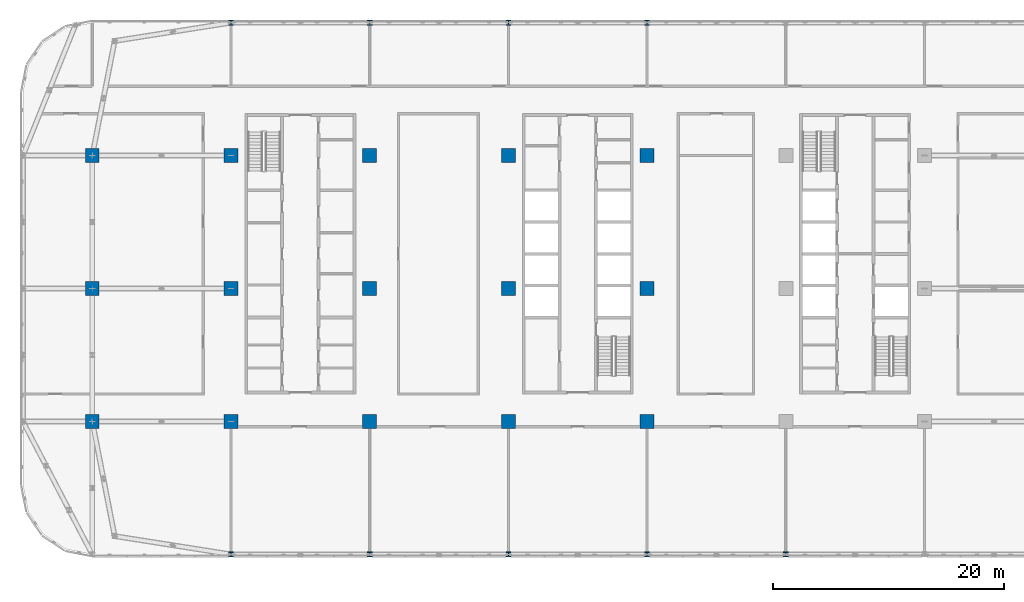
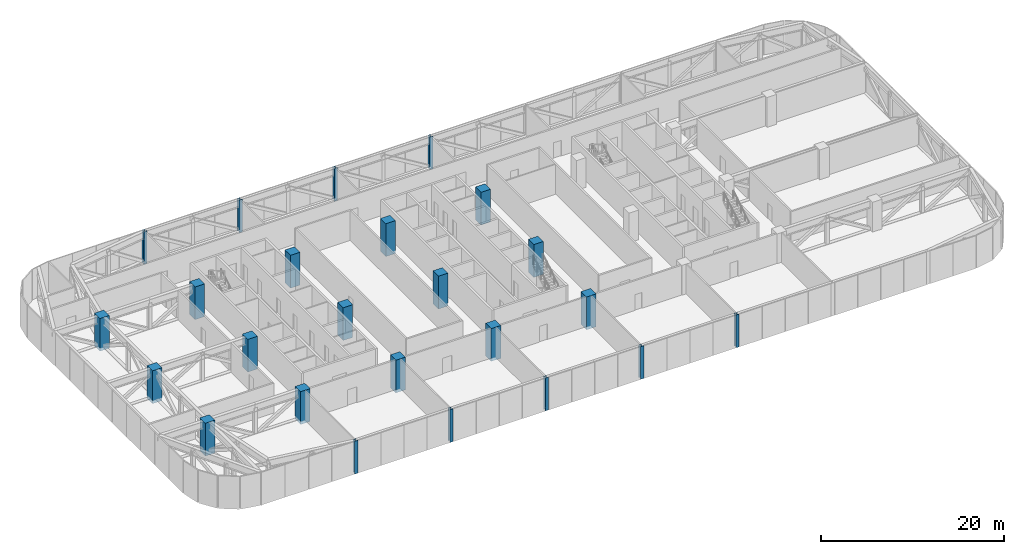
# One storey, part 1 of 26: 24 columns.
"""IFC4 building model written with IfcOpenShell, lengths in metres."""

from ifc_helpers import new_model, si_unit, direction, frame, origin, origin_2d, place, context, subcontext, project, spatial, rectangle, i_section, extrude, material, material_profile, profile_set, type_object, element, save


model = new_model("IFC4")

# Units and contexts
model_context = context("Model", 3, precision=1e-05, world=origin(), true_north=direction((0.0, 1.0)))
body_context = subcontext(model_context, "Body", "Model", "MODEL_VIEW")
ifc_project = project(units=[si_unit("LENGTHUNIT", "METRE"), si_unit("AREAUNIT", "SQUARE_METRE"), si_unit("VOLUMEUNIT", "CUBIC_METRE"), si_unit("PLANEANGLEUNIT", "RADIAN"), si_unit("MASSUNIT", "GRAM", prefix="KILO")], contexts=[model_context])

# Site, building, storey
site_placement = place(None, origin())
site = spatial("IfcSite", under=ifc_project, at=site_placement, CompositionType="ELEMENT")
building_placement = place(site_placement, origin())
building = spatial("IfcBuilding", under=site, at=building_placement, Name="Mahtab Terrace Research Tower", CompositionType="ELEMENT")
storey_placement = place(building_placement, frame((0.0, 0.0, 189.60009765625)))
storey = spatial("IfcBuildingStorey", under=building, at=storey_placement, Name="L45", CompositionType="ELEMENT", Elevation=189.60009765625)

# Columns
ifc_material_1 = material(Name="Concrete C70/85", Category="concrete")
ifc_material_profile_1 = material_profile(ifc_material_1, rectangle(XDim=1.199951171875, YDim=1.199951171875, at=origin_2d()), Name="RC column 1200x1200")
ifc_profile_set_1 = profile_set([ifc_material_profile_1], Name="Concrete C70/85")
column_type_1 = type_object("IfcColumnType", Name="RC column 1200x1200", PredefinedType="COLUMN", material=ifc_profile_set_1)
for number, where, z_axis, x_axis, name in (
    (1, (-42.0, -11.5, -0.400146484375), (0.0, 0.0, 1.0), (1.0, 0.0, 0.0), "Column RC-1A L45"),
    (2, (-42.0, 0.0, -0.400146484375), (0.0, 0.0, 1.0), (1.0, 0.0, 0.0), "Column RC-1B L45"),
    (3, (-42.0, 11.5, -0.400146484375), (0.0, 0.0, 1.0), (1.0, 0.0, 0.0), "Column RC-1C L45"),
    (4, (-30.0, -11.5, -0.400146484375), (0.0, 0.0, 1.0), (1.0, 0.0, 0.0), "Column RC-2A L45"),
    (5, (-30.0, 0.0, -0.400146484375), (0.0, 0.0, 1.0), (1.0, 0.0, 0.0), "Column RC-2B L45"),
    (6, (-30.0, 11.5, -0.400146484375), (0.0, 0.0, 1.0), (1.0, 0.0, 0.0), "Column RC-2C L45"),
    (7, (-18.0, -11.5, -0.400146484375), (0.0, 0.0, 1.0), (1.0, 0.0, 0.0), "Column RC-3A L45"),
    (8, (-18.0, 0.0, -0.400146484375), (0.0, 0.0, 1.0), (1.0, 0.0, 0.0), "Column RC-3B L45"),
    (9, (-18.0, 11.5, -0.400146484375), (0.0, 0.0, 1.0), (1.0, 0.0, 0.0), "Column RC-3C L45"),
    (10, (-6.0, -11.5, -0.400146484375), (0.0, 0.0, 1.0), (1.0, 0.0, 0.0), "Column RC-4A L45"),
    (11, (-6.0, 0.0, -0.400146484375), (0.0, 0.0, 1.0), (1.0, 0.0, 0.0), "Column RC-4B L45"),
    (12, (-6.0, 11.5, -0.400146484375), (0.0, 0.0, 1.0), (1.0, 0.0, 0.0), "Column RC-4C L45"),
    (13, (6.0, -11.5, -0.400146484375), (0.0, 0.0, 1.0), (1.0, 0.0, 0.0), "Column RC-5A L45"),
    (14, (6.0, 0.0, -0.400146484375), (0.0, 0.0, 1.0), (1.0, 0.0, 0.0), "Column RC-5B L45"),
    (15, (6.0, 11.5, -0.400146484375), (0.0, 0.0, 1.0), (1.0, 0.0, 0.0), "Column RC-5C L45"),
):
    element("IfcColumn", number, at=place(storey_placement, frame(where, z_axis=z_axis, x_axis=x_axis)), inside=storey, type_object=column_type_1, Name=name, PredefinedType="COLUMN", context=body_context, shape_type="SweptSolid", body=[
        extrude(rectangle(XDim=1.199951171875, YDim=1.199951171875, at=origin_2d()), origin(), (0.0, 0.0, 1.0), 4.360107421875),
    ])
ifc_material_2 = material(Name="Steel ASTM A992 Gr 50", Category="steel")
ifc_material_profile_2 = material_profile(ifc_material_2, i_section(OverallWidth=0.406494140625, OverallDepth=0.41650390625, WebThickness=0.030029296875, FlangeThickness=0.048095703125, at=origin_2d()), Name="W14X257")
ifc_profile_set_2 = profile_set([ifc_material_profile_2], Name="Steel ASTM A992 Gr 50")
column_type_2 = type_object("IfcColumnType", Name="W14x257 column CS14257", PredefinedType="COLUMN", material=ifc_profile_set_2)
for number, where, z_axis, x_axis, name in (
    (16, (6.0, 23.0, -0.400146484375), (0.0, 0.0, 1.0), (1.0, 0.0, 0.0), "Column SC-004 L45"),
    (17, (-6.0, 23.0, -0.400146484375), (0.0, 0.0, 1.0), (1.0, 0.0, 0.0), "Column SC-005 L45"),
    (18, (-18.0, 23.0, -0.400146484375), (0.0, 0.0, 1.0), (1.0, 0.0, 0.0), "Column SC-006 L45"),
    (19, (-30.0, 23.0, -0.400146484375), (0.0, 0.0, 1.0), (1.0, 0.0, 0.0), "Column SC-007 L45"),
    (20, (-30.0, -23.0, -0.400146484375), (0.0, 0.0, 1.0), (1.0, 0.0, 0.0), "Column SC-013 L45"),
    (21, (-18.0, -23.0, -0.400146484375), (0.0, 0.0, 1.0), (1.0, 0.0, 0.0), "Column SC-014 L45"),
    (22, (-6.0, -23.0, -0.400146484375), (0.0, 0.0, 1.0), (1.0, 0.0, 0.0), "Column SC-015 L45"),
    (23, (6.0, -23.0, -0.400146484375), (0.0, 0.0, 1.0), (1.0, 0.0, 0.0), "Column SC-016 L45"),
    (24, (18.0, -23.0, -0.400146484375), (0.0, 0.0, 1.0), (1.0, 0.0, 0.0), "Column SC-017 L45"),
):
    element("IfcColumn", number, at=place(storey_placement, frame(where, z_axis=z_axis, x_axis=x_axis)), inside=storey, type_object=column_type_2, Name=name, PredefinedType="COLUMN", context=body_context, shape_type="SweptSolid", body=[
        extrude(i_section(OverallWidth=0.406494140625, OverallDepth=0.41650390625, WebThickness=0.030029296875, FlangeThickness=0.048095703125, at=origin_2d()), origin(), (0.0, 0.0, 1.0), 4.360107421875),
    ])

save(model, "model.ifc")
